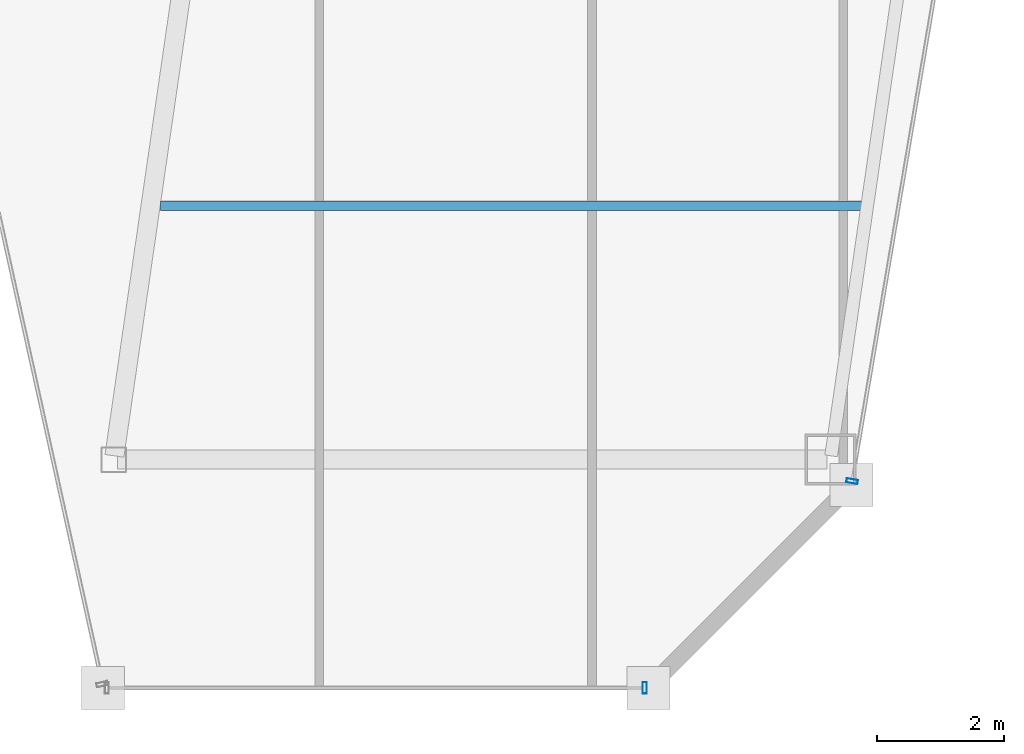
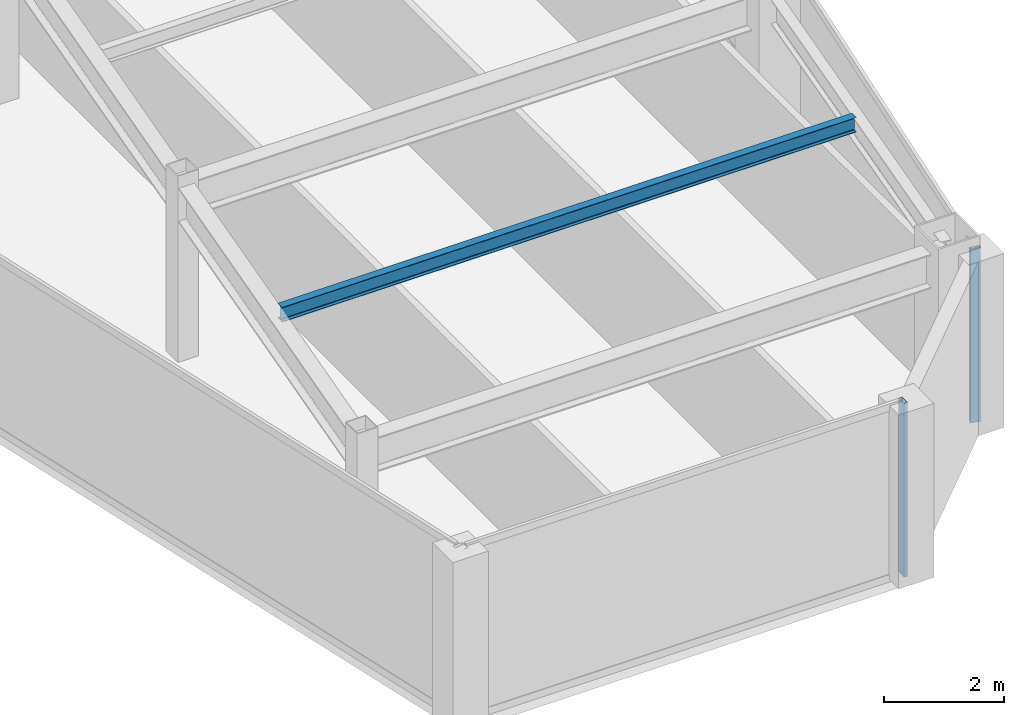
# One storey, part 18 of 36: 2 members, 1 beam, 2 elements without a shape of their own.
"""IFC4 building model written with IfcOpenShell, lengths in metres."""

import ifcopenshell
import ifcopenshell.guid

model = None  # the IFC model being written
_history = None  # IfcOwnerHistory: only IFC2X3 demands one
_inside = {}  # id of a spatial element -> (the spatial element, [elements in it])
_under = {}  # id of a project, library or spatial element -> (it, [spatial elements below it])
_declared = {}  # id of a project -> (the project, [libraries it declares])
_typed = {}  # id of a type object -> (the type object, [elements of that type])
_made_of = {}  # id of a material, layer set ... -> (it, [elements and type objects made of it])


def new_model(schema):
    """Start an empty IFC model of exactly this schema.

    Asked for "IFC4X3", IfcOpenShell would pick the latest addendum, in which some entities
    have other attributes; the version numbers below select the first issue.
    IFC2X3 requires an IfcOwnerHistory on every rooted entity: one is made here for all.
    """
    global model, _history
    if schema == "IFC4X3":
        model = ifcopenshell.file(schema_version=(4, 3, 0, 0))
    else:
        model = ifcopenshell.file(schema=schema)
    _inside.clear()
    _under.clear()
    _declared.clear()
    _typed.clear()
    _made_of.clear()
    _history = None
    if model.schema == "IFC2X3":
        org = make("IfcOrganization", Name="unknown")
        user = make(
            "IfcPersonAndOrganization",
            ThePerson=make("IfcPerson", FamilyName="unknown"),
            TheOrganization=org,
        )
        app = make(
            "IfcApplication",
            ApplicationDeveloper=org,
            Version="unknown",
            ApplicationFullName="unknown",
            ApplicationIdentifier="unknown",
        )
        _history = make(
            "IfcOwnerHistory",
            OwningUser=user,
            OwningApplication=app,
            ChangeAction="ADDED",
            CreationDate=0,
        )
    return model


def make(cls, **values):
    """One entity of the class cls with the attributes given. An attribute that is None is left unset."""
    return model.create_entity(
        cls, **{name: value for name, value in values.items() if value is not None}
    )


def rooted(cls, **values):
    """An entity with a GlobalId (a new one), such as an element, a storey or a relation."""
    return make(cls, GlobalId=ifcopenshell.guid.new(), OwnerHistory=_history, **values)


def si_unit(unit_type, name, prefix=None):
    """IfcSIUnit, for example si_unit("LENGTHUNIT", "METRE", prefix="MILLI")."""
    return make("IfcSIUnit", UnitType=unit_type, Prefix=prefix, Name=name)


def assignment(units):
    """IfcUnitAssignment: the units of a project."""
    return None if units is None else make("IfcUnitAssignment", Units=units)


def point(xyz):
    """IfcCartesianPoint."""
    return None if xyz is None else make("IfcCartesianPoint", Coordinates=xyz)


def direction(xyz):
    """IfcDirection."""
    return None if xyz is None else make("IfcDirection", DirectionRatios=xyz)


def frame(location, z_axis=None, x_axis=None):
    """IfcAxis2Placement3D, a coordinate frame: its origin and axes. An axis left out is left unset."""
    return make(
        "IfcAxis2Placement3D",
        Location=point(location),
        Axis=direction(z_axis),
        RefDirection=direction(x_axis),
    )


def frame_2d(location, x_axis=None):
    """IfcAxis2Placement2D, a coordinate frame in the plane: its origin and x axis."""
    return make(
        "IfcAxis2Placement2D", Location=point(location), RefDirection=direction(x_axis)
    )


def origin():
    """The frame at (0, 0, 0) with its axes left unset."""
    return frame((0.0, 0.0, 0.0))


def origin_2d():
    """The frame at (0, 0) in the plane with its x axis left unset."""
    return frame_2d((0.0, 0.0))


def place(relative_to, where):
    """IfcLocalPlacement: puts the frame where relative to a parent placement (None: the world)."""
    return make(
        "IfcLocalPlacement", PlacementRelTo=relative_to, RelativePlacement=where
    )


def context(
    kind, dimensions, precision=None, world=None, true_north=None, identifier=None
):
    """IfcGeometricRepresentationContext, for example the 3D "Model" context."""
    return make(
        "IfcGeometricRepresentationContext",
        ContextIdentifier=identifier,
        ContextType=kind,
        CoordinateSpaceDimension=dimensions,
        Precision=precision,
        WorldCoordinateSystem=world,
        TrueNorth=true_north,
    )


def subcontext(parent, identifier, kind, view, scale=None):
    """IfcGeometricRepresentationSubContext, for example "Body" below "Model"."""
    return make(
        "IfcGeometricRepresentationSubContext",
        ContextIdentifier=identifier,
        ContextType=kind,
        ParentContext=parent,
        TargetScale=scale,
        TargetView=view,
    )


def project(units=None, contexts=None):
    """IfcProject with its units and contexts."""
    return rooted(
        "IfcProject",
        Name="project",
        RepresentationContexts=contexts,
        UnitsInContext=assignment(units),
    )


def spatial(cls, under=None, at=None, **own):
    """A site, building, storey or space (cls), placed at a placement, below another one or the project."""
    s = rooted(cls, ObjectPlacement=at, **own)
    if under is not None:
        _under.setdefault(under.id(), (under, []))[1].append(s)
    return s


def profile(cls, at=None, kind="AREA", **sizes):
    """A parametric profile (cls). Its sizes go by their IFC names, for example OverallWidth=200.0."""
    return make(cls, ProfileType=kind, Position=at, **sizes)


def hollow_rectangle(**sizes):
    """IfcRectangleHollowProfileDef."""
    return profile("IfcRectangleHollowProfileDef", **sizes)


def i_section(**sizes):
    """IfcIShapeProfileDef."""
    return profile("IfcIShapeProfileDef", **sizes)


def extrude(swept, where, along, depth):
    """IfcExtrudedAreaSolid: the profile swept, set in the frame where, extruded along a direction by depth."""
    return make(
        "IfcExtrudedAreaSolid",
        SweptArea=swept,
        Position=where,
        ExtrudedDirection=direction(along),
        Depth=depth,
    )


def shape(context_of_items, identifier, shape_type, items):
    """IfcShapeRepresentation: the items that make up one representation, for example the "Body"."""
    return make(
        "IfcShapeRepresentation",
        ContextOfItems=context_of_items,
        RepresentationIdentifier=identifier,
        RepresentationType=shape_type,
        Items=items,
    )


def material(Name=None, Category=None):
    """IfcMaterial."""
    return make("IfcMaterial", Name=Name, Category=Category)


def material_profile(
    of_material, cross_section, Name=None, Category=None, Priority=None
):
    """IfcMaterialProfile: a cross section and its material."""
    return make(
        "IfcMaterialProfile",
        Name=Name,
        Material=of_material,
        Profile=cross_section,
        Priority=Priority,
        Category=Category,
    )


def profile_set(profiles, Name=None, composite=None):
    """IfcMaterialProfileSet."""
    return make(
        "IfcMaterialProfileSet",
        Name=Name,
        MaterialProfiles=profiles,
        CompositeProfile=composite,
    )


def made_of(thing, what):
    """Note that an element or type object is made of a material, layer set ...; save() writes the relation."""
    if what is not None:
        _made_of.setdefault(what.id(), (what, []))[1].append(thing)
    return thing


def type_object(cls, material=None, **own):
    """A type object (cls), such as IfcWallType, which elements share."""
    return made_of(rooted(cls, **own), material)


def element(
    cls,
    number,
    at=None,
    inside=None,
    cuts=None,
    type_object=None,
    material=None,
    context=None,
    identifier="Body",
    shape_type=None,
    held_by="IfcProductDefinitionShape",
    body=None,
    shapes=None,
    **own,
):
    """One element of the class cls, such as IfcWall. Its Tag is "e" and its number.

    at: its placement. inside: the storey or other place that contains it. cuts: it is an
    opening in that element (IfcRelVoidsElement). A single representation is given by context,
    identifier, shape_type and body (its items); several are given by shapes. held_by: the class
    of the entity that holds the representations. save() writes the other relations.
    """
    e = rooted(cls, Tag="e%d" % number, ObjectPlacement=at, **own)
    if body is not None:
        shapes = [shape(context, identifier, shape_type, body)]
    if shapes is not None:
        e.Representation = make(held_by, Representations=shapes)
    if inside is not None:
        _inside.setdefault(inside.id(), (inside, []))[1].append(e)
    if cuts is not None:
        rooted(
            "IfcRelVoidsElement", RelatingBuildingElement=cuts, RelatedOpeningElement=e
        )
    if type_object is not None:
        _typed.setdefault(type_object.id(), (type_object, []))[1].append(e)
    return made_of(e, material)


def aggregate(whole, parts):
    """IfcRelAggregates: a whole, such as a stair, and the parts it consists of."""
    return rooted("IfcRelAggregates", RelatingObject=whole, RelatedObjects=parts)


def save(model, path):
    """Write the relations noted so far, then the file.

    IfcRelAggregates (storeys below a building ...), IfcRelContainedInSpatialStructure (elements
    in a storey), IfcRelDefinesByType, IfcRelAssociatesMaterial and IfcRelDeclares: one each for
    every whole, place, type object, material and project.
    """
    for whole, parts in _under.values():
        aggregate(whole, parts)
    for where, things in _inside.values():
        rooted(
            "IfcRelContainedInSpatialStructure",
            RelatedElements=things,
            RelatingStructure=where,
        )
    for kind, things in _typed.values():
        rooted("IfcRelDefinesByType", RelatedObjects=things, RelatingType=kind)
    for what, things in _made_of.values():
        rooted("IfcRelAssociatesMaterial", RelatedObjects=things, RelatingMaterial=what)
    for by, libraries in _declared.values():
        rooted("IfcRelDeclares", RelatingContext=by, RelatedDefinitions=libraries)
    model.write(path)


model = new_model("IFC4")

# Units and contexts
model_context = context("Model", 3, precision=1e-05, world=origin(), true_north=direction((0.0, 1.0)))
body_context = subcontext(model_context, "Body", "Model", "MODEL_VIEW")
ifc_project = project(units=[si_unit("LENGTHUNIT", "METRE"), si_unit("AREAUNIT", "SQUARE_METRE"), si_unit("VOLUMEUNIT", "CUBIC_METRE"), si_unit("PLANEANGLEUNIT", "RADIAN"), si_unit("MASSUNIT", "GRAM", prefix="KILO")], contexts=[model_context])

# Site, building, storey
site_placement = place(None, origin())
site = spatial("IfcSite", under=ifc_project, at=site_placement, CompositionType="ELEMENT")
building_placement = place(site_placement, origin())
building = spatial("IfcBuilding", under=site, at=building_placement, Name="Saevonmaru Cultural Tower", CompositionType="ELEMENT")
storey_placement = place(building_placement, frame((0.0, 0.0, 201.800048828125)))
storey = spatial("IfcBuildingStorey", under=building, at=storey_placement, Name="L46", CompositionType="ELEMENT", Elevation=201.800048828125)

# Beam
ifc_material_1 = material(Name="Steel SM355", Category="steel")
ifc_material_profile_1 = material_profile(ifc_material_1, i_section(OverallWidth=0.14990234375, OverallDepth=0.300048828125, WebThickness=0.006591796875, FlangeThickness=0.009033203125, FilletRadius=0.012939453125, at=origin_2d()), Name="H-300x150x6.5x9")
ifc_profile_set_1 = profile_set([ifc_material_profile_1], Name="Steel SM355")
beam_type = type_object("IfcBeamType", Name="BM-J-H300", PredefinedType="JOIST", material=ifc_profile_set_1)
beam_placement = place(storey_placement, frame((38.80810546875, 20.0, 3.39990234375), z_axis=(1.0, 0.0, 0.0), x_axis=(0.0, 1.0, 0.0)))
element("IfcBeam", 1, at=beam_placement, inside=storey, type_object=beam_type, Name="L46 East Wing Floor Joist 1", PredefinedType="JOIST", context=body_context, shape_type="SweptSolid", body=[
    extrude(i_section(OverallWidth=0.14990234375, OverallDepth=0.300048828125, WebThickness=0.006591796875, FlangeThickness=0.009033203125, FilletRadius=0.012939453125, at=origin_2d()), origin(), (0.0, 0.0, 1.0), 11.081787109375),
])

# Curtain wall, member
ifc_material_2 = material(Name="Satin Bronze Anodised Aluminium", Category="aluminium")
curtain_wall_type = type_object("IfcCurtainWallType", Name="CW-TYP-B", PredefinedType="NOTDEFINED", material=ifc_material_2)
curtain_wall_1_placement = place(storey_placement, origin())
curtain_wall_1 = element("IfcCurtainWall", 2, at=curtain_wall_1_placement, inside=storey, type_object=curtain_wall_type, Name="L46 Unitised Curtain Wall E6", PredefinedType="NOTDEFINED")
ifc_material_profile_2 = material_profile(ifc_material_2, hollow_rectangle(XDim=0.06494140625, YDim=0.179931640625, WallThickness=0.00390625, at=origin_2d()), Name="ALU-MULL-180x65x4")
ifc_profile_set_2 = profile_set([ifc_material_profile_2], Name="Satin Bronze Anodised Aluminium")
member_type = type_object("IfcMemberType", Name="ML-CW-180x65", PredefinedType="MULLION", material=ifc_profile_set_2)
member_1_placement = place(storey_placement, frame((46.442138671875, 12.39990234375, 0.0), z_axis=(0.0, 0.0, 1.0), x_axis=(1.0, 0.0, 0.0)))
member_1 = element("IfcMember", 3, at=member_1_placement, type_object=member_type, Name="CW-TW-L46-E6 mullion 2", PredefinedType="MULLION", context=body_context, shape_type="SweptSolid", body=[
    extrude(hollow_rectangle(XDim=0.06494140625, YDim=0.179931640625, WallThickness=0.00390625, at=origin_2d()), origin(), (0.0, 0.0, 1.0), 3.550048828125),
])
aggregate(curtain_wall_1, [member_1])

curtain_wall_2_placement = place(storey_placement, origin())
curtain_wall_2 = element("IfcCurtainWall", 4, at=curtain_wall_2_placement, inside=storey, type_object=curtain_wall_type, Name="L46 Unitised Curtain Wall E8", PredefinedType="NOTDEFINED")
member_2_placement = place(storey_placement, frame((49.712158203125, 15.6591796875, 0.0), z_axis=(0.0, 0.0, 1.0), x_axis=(0.16692169721, 0.985970155228, 0.0)))
member_2 = element("IfcMember", 5, at=member_2_placement, type_object=member_type, Name="CW-TW-L46-E8 mullion 1", PredefinedType="MULLION", context=body_context, shape_type="SweptSolid", body=[
    extrude(hollow_rectangle(XDim=0.06494140625, YDim=0.179931640625, WallThickness=0.00390625, at=origin_2d()), origin(), (0.0, 0.0, 1.0), 3.550048828125),
])
aggregate(curtain_wall_2, [member_2])

save(model, "model.ifc")
